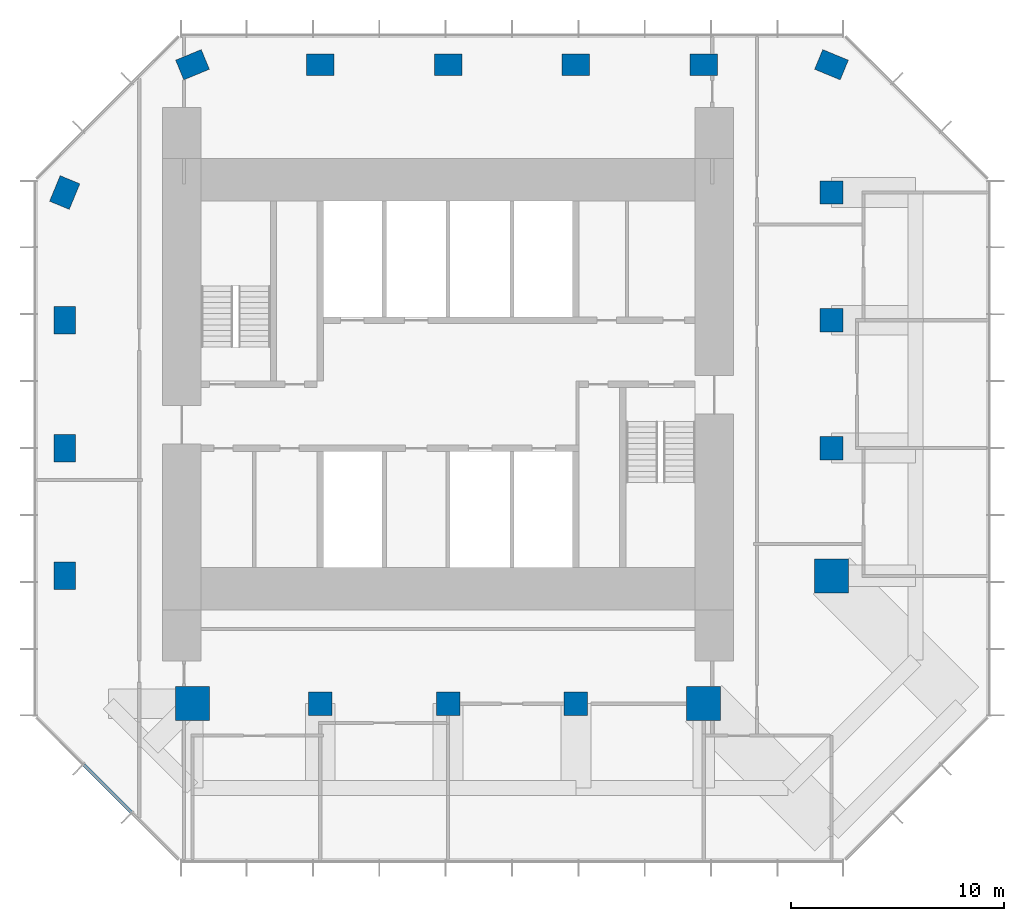
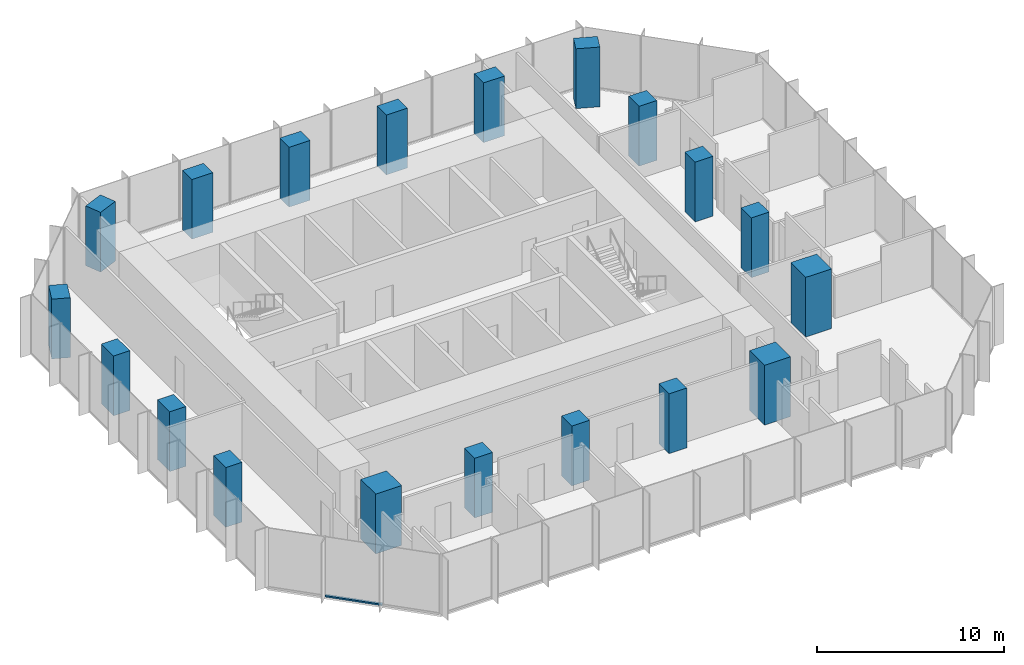
# One storey, part 1 of 11: 19 columns, 1 member, 1 element without a shape of its own.
"""IFC4 building model written with IfcOpenShell, lengths in metres."""

import ifcopenshell
import ifcopenshell.guid

model = None  # the IFC model being written
_history = None  # IfcOwnerHistory: only IFC2X3 demands one
_inside = {}  # id of a spatial element -> (the spatial element, [elements in it])
_under = {}  # id of a project, library or spatial element -> (it, [spatial elements below it])
_declared = {}  # id of a project -> (the project, [libraries it declares])
_typed = {}  # id of a type object -> (the type object, [elements of that type])
_made_of = {}  # id of a material, layer set ... -> (it, [elements and type objects made of it])


def new_model(schema):
    """Start an empty IFC model of exactly this schema.

    Asked for "IFC4X3", IfcOpenShell would pick the latest addendum, in which some entities
    have other attributes; the version numbers below select the first issue.
    IFC2X3 requires an IfcOwnerHistory on every rooted entity: one is made here for all.
    """
    global model, _history
    if schema == "IFC4X3":
        model = ifcopenshell.file(schema_version=(4, 3, 0, 0))
    else:
        model = ifcopenshell.file(schema=schema)
    _inside.clear()
    _under.clear()
    _declared.clear()
    _typed.clear()
    _made_of.clear()
    _history = None
    if model.schema == "IFC2X3":
        org = make("IfcOrganization", Name="unknown")
        user = make(
            "IfcPersonAndOrganization",
            ThePerson=make("IfcPerson", FamilyName="unknown"),
            TheOrganization=org,
        )
        app = make(
            "IfcApplication",
            ApplicationDeveloper=org,
            Version="unknown",
            ApplicationFullName="unknown",
            ApplicationIdentifier="unknown",
        )
        _history = make(
            "IfcOwnerHistory",
            OwningUser=user,
            OwningApplication=app,
            ChangeAction="ADDED",
            CreationDate=0,
        )
    return model


def make(cls, **values):
    """One entity of the class cls with the attributes given. An attribute that is None is left unset."""
    return model.create_entity(
        cls, **{name: value for name, value in values.items() if value is not None}
    )


def rooted(cls, **values):
    """An entity with a GlobalId (a new one), such as an element, a storey or a relation."""
    return make(cls, GlobalId=ifcopenshell.guid.new(), OwnerHistory=_history, **values)


def si_unit(unit_type, name, prefix=None):
    """IfcSIUnit, for example si_unit("LENGTHUNIT", "METRE", prefix="MILLI")."""
    return make("IfcSIUnit", UnitType=unit_type, Prefix=prefix, Name=name)


def assignment(units):
    """IfcUnitAssignment: the units of a project."""
    return None if units is None else make("IfcUnitAssignment", Units=units)


def point(xyz):
    """IfcCartesianPoint."""
    return None if xyz is None else make("IfcCartesianPoint", Coordinates=xyz)


def direction(xyz):
    """IfcDirection."""
    return None if xyz is None else make("IfcDirection", DirectionRatios=xyz)


def frame(location, z_axis=None, x_axis=None):
    """IfcAxis2Placement3D, a coordinate frame: its origin and axes. An axis left out is left unset."""
    return make(
        "IfcAxis2Placement3D",
        Location=point(location),
        Axis=direction(z_axis),
        RefDirection=direction(x_axis),
    )


def frame_2d(location, x_axis=None):
    """IfcAxis2Placement2D, a coordinate frame in the plane: its origin and x axis."""
    return make(
        "IfcAxis2Placement2D", Location=point(location), RefDirection=direction(x_axis)
    )


def origin():
    """The frame at (0, 0, 0) with its axes left unset."""
    return frame((0.0, 0.0, 0.0))


def origin_2d():
    """The frame at (0, 0) in the plane with its x axis left unset."""
    return frame_2d((0.0, 0.0))


def place(relative_to, where):
    """IfcLocalPlacement: puts the frame where relative to a parent placement (None: the world)."""
    return make(
        "IfcLocalPlacement", PlacementRelTo=relative_to, RelativePlacement=where
    )


def context(
    kind, dimensions, precision=None, world=None, true_north=None, identifier=None
):
    """IfcGeometricRepresentationContext, for example the 3D "Model" context."""
    return make(
        "IfcGeometricRepresentationContext",
        ContextIdentifier=identifier,
        ContextType=kind,
        CoordinateSpaceDimension=dimensions,
        Precision=precision,
        WorldCoordinateSystem=world,
        TrueNorth=true_north,
    )


def subcontext(parent, identifier, kind, view, scale=None):
    """IfcGeometricRepresentationSubContext, for example "Body" below "Model"."""
    return make(
        "IfcGeometricRepresentationSubContext",
        ContextIdentifier=identifier,
        ContextType=kind,
        ParentContext=parent,
        TargetScale=scale,
        TargetView=view,
    )


def project(units=None, contexts=None):
    """IfcProject with its units and contexts."""
    return rooted(
        "IfcProject",
        Name="project",
        RepresentationContexts=contexts,
        UnitsInContext=assignment(units),
    )


def spatial(cls, under=None, at=None, **own):
    """A site, building, storey or space (cls), placed at a placement, below another one or the project."""
    s = rooted(cls, ObjectPlacement=at, **own)
    if under is not None:
        _under.setdefault(under.id(), (under, []))[1].append(s)
    return s


def profile(cls, at=None, kind="AREA", **sizes):
    """A parametric profile (cls). Its sizes go by their IFC names, for example OverallWidth=200.0."""
    return make(cls, ProfileType=kind, Position=at, **sizes)


def rectangle(**sizes):
    """IfcRectangleProfileDef."""
    return profile("IfcRectangleProfileDef", **sizes)


def extrude(swept, where, along, depth):
    """IfcExtrudedAreaSolid: the profile swept, set in the frame where, extruded along a direction by depth."""
    return make(
        "IfcExtrudedAreaSolid",
        SweptArea=swept,
        Position=where,
        ExtrudedDirection=direction(along),
        Depth=depth,
    )


def shape(context_of_items, identifier, shape_type, items):
    """IfcShapeRepresentation: the items that make up one representation, for example the "Body"."""
    return make(
        "IfcShapeRepresentation",
        ContextOfItems=context_of_items,
        RepresentationIdentifier=identifier,
        RepresentationType=shape_type,
        Items=items,
    )


def material(Name=None, Category=None):
    """IfcMaterial."""
    return make("IfcMaterial", Name=Name, Category=Category)


def layer(
    of_material, thickness, ventilated=None, Name=None, Category=None, Priority=None
):
    """IfcMaterialLayer: one layer of a wall or slab, of a material (None: an air gap)."""
    return make(
        "IfcMaterialLayer",
        Material=of_material,
        LayerThickness=thickness,
        IsVentilated=ventilated,
        Name=Name,
        Category=Category,
        Priority=Priority,
    )


def layer_set(layers, Name=None):
    """IfcMaterialLayerSet."""
    return make("IfcMaterialLayerSet", MaterialLayers=layers, LayerSetName=Name)


def material_profile(
    of_material, cross_section, Name=None, Category=None, Priority=None
):
    """IfcMaterialProfile: a cross section and its material."""
    return make(
        "IfcMaterialProfile",
        Name=Name,
        Material=of_material,
        Profile=cross_section,
        Priority=Priority,
        Category=Category,
    )


def profile_set(profiles, Name=None, composite=None):
    """IfcMaterialProfileSet."""
    return make(
        "IfcMaterialProfileSet",
        Name=Name,
        MaterialProfiles=profiles,
        CompositeProfile=composite,
    )


def made_of(thing, what):
    """Note that an element or type object is made of a material, layer set ...; save() writes the relation."""
    if what is not None:
        _made_of.setdefault(what.id(), (what, []))[1].append(thing)
    return thing


def type_object(cls, material=None, **own):
    """A type object (cls), such as IfcWallType, which elements share."""
    return made_of(rooted(cls, **own), material)


def element(
    cls,
    number,
    at=None,
    inside=None,
    cuts=None,
    type_object=None,
    material=None,
    context=None,
    identifier="Body",
    shape_type=None,
    held_by="IfcProductDefinitionShape",
    body=None,
    shapes=None,
    **own,
):
    """One element of the class cls, such as IfcWall. Its Tag is "e" and its number.

    at: its placement. inside: the storey or other place that contains it. cuts: it is an
    opening in that element (IfcRelVoidsElement). A single representation is given by context,
    identifier, shape_type and body (its items); several are given by shapes. held_by: the class
    of the entity that holds the representations. save() writes the other relations.
    """
    e = rooted(cls, Tag="e%d" % number, ObjectPlacement=at, **own)
    if body is not None:
        shapes = [shape(context, identifier, shape_type, body)]
    if shapes is not None:
        e.Representation = make(held_by, Representations=shapes)
    if inside is not None:
        _inside.setdefault(inside.id(), (inside, []))[1].append(e)
    if cuts is not None:
        rooted(
            "IfcRelVoidsElement", RelatingBuildingElement=cuts, RelatedOpeningElement=e
        )
    if type_object is not None:
        _typed.setdefault(type_object.id(), (type_object, []))[1].append(e)
    return made_of(e, material)


def aggregate(whole, parts):
    """IfcRelAggregates: a whole, such as a stair, and the parts it consists of."""
    return rooted("IfcRelAggregates", RelatingObject=whole, RelatedObjects=parts)


def save(model, path):
    """Write the relations noted so far, then the file.

    IfcRelAggregates (storeys below a building ...), IfcRelContainedInSpatialStructure (elements
    in a storey), IfcRelDefinesByType, IfcRelAssociatesMaterial and IfcRelDeclares: one each for
    every whole, place, type object, material and project.
    """
    for whole, parts in _under.values():
        aggregate(whole, parts)
    for where, things in _inside.values():
        rooted(
            "IfcRelContainedInSpatialStructure",
            RelatedElements=things,
            RelatingStructure=where,
        )
    for kind, things in _typed.values():
        rooted("IfcRelDefinesByType", RelatedObjects=things, RelatingType=kind)
    for what, things in _made_of.values():
        rooted("IfcRelAssociatesMaterial", RelatedObjects=things, RelatingMaterial=what)
    for by, libraries in _declared.values():
        rooted("IfcRelDeclares", RelatingContext=by, RelatedDefinitions=libraries)
    model.write(path)


model = new_model("IFC4")

# Units and contexts
model_context = context("Model", 3, precision=1e-05, world=origin(), true_north=direction((0.0, 1.0)))
body_context = subcontext(model_context, "Body", "Model", "MODEL_VIEW")
ifc_project = project(units=[si_unit("LENGTHUNIT", "METRE"), si_unit("AREAUNIT", "SQUARE_METRE"), si_unit("VOLUMEUNIT", "CUBIC_METRE"), si_unit("PLANEANGLEUNIT", "RADIAN"), si_unit("MASSUNIT", "GRAM", prefix="KILO")], contexts=[model_context])

# Site, building, storey
site_placement = place(None, origin())
site = spatial("IfcSite", under=ifc_project, at=site_placement, CompositionType="ELEMENT")
building_placement = place(site_placement, origin())
building = spatial("IfcBuilding", under=site, at=building_placement, Name="Highveld Stack Headquarters", CompositionType="ELEMENT")
storey_placement = place(building_placement, frame((0.0, 0.0, 280.10009765625)))
storey = spatial("IfcBuildingStorey", under=building, at=storey_placement, Name="L69", CompositionType="ELEMENT", Elevation=280.10009765625)

# Columns
ifc_material_1 = material(Name="Concrete C60/75", Category="concrete")
ifc_material_profile_1 = material_profile(ifc_material_1, rectangle(XDim=1.10009765625, YDim=1.10009765625, at=origin_2d()), Name="RC 1100x1100")
ifc_profile_set_1 = profile_set([ifc_material_profile_1], Name="Concrete C60/75")
column_type_1 = type_object("IfcColumnType", Name="COLUMN RC 1100x1100 C60/75", PredefinedType="COLUMN", material=ifc_profile_set_1)
for number, where, z_axis, x_axis, name in (
    (1, (0.0, -12.0, 0.0), (0.0, 0.0, 1.0), (1.0, 0.0, 0.0), "Column 6/C L69"),
    (2, (6.0, -12.0, 0.0), (0.0, 0.0, 1.0), (1.0, 0.0, 0.0), "Column 7/C L69"),
    (3, (12.0, -12.0, 0.0), (0.0, 0.0, 1.0), (1.0, 0.0, 0.0), "Column 8/C L69"),
    (4, (24.0, 0.0, 0.0), (0.0, 0.0, 1.0), (1.0, 0.0, 0.0), "Column 10/E L69"),
    (5, (24.0, 6.0, 0.0), (0.0, 0.0, 1.0), (1.0, 0.0, 0.0), "Column 10/F L69"),
    (6, (24.0, 12.0, 0.0), (0.0, 0.0, 1.0), (1.0, 0.0, 0.0), "Column 10/G L69"),
):
    element("IfcColumn", number, at=place(storey_placement, frame(where, z_axis=z_axis, x_axis=x_axis)), inside=storey, type_object=column_type_1, Name=name, PredefinedType="COLUMN", context=body_context, shape_type="SweptSolid", body=[
        extrude(rectangle(XDim=1.10009765625, YDim=1.10009765625, at=origin_2d()), origin(), (0.0, 0.0, 1.0), 3.89990234375),
    ])
ifc_material_2 = material(Name="Concrete C60/75", Category="concrete")
ifc_material_profile_2 = material_profile(ifc_material_2, rectangle(XDim=1.300048828125, YDim=1.0, at=origin_2d()), Name="RC 1300x1000")
ifc_profile_set_2 = profile_set([ifc_material_profile_2], Name="Concrete C60/75")
column_type_2 = type_object("IfcColumnType", Name="COLUMN RC 1300x1000 C60/75", PredefinedType="COLUMN", material=ifc_profile_set_2)
for number, where, z_axis, x_axis, name in (
    (7, (-12.0, -6.0, 0.0), (0.0, 0.0, 1.0), (0.0, 1.0, 0.0), "Column 4/D L69"),
    (8, (-12.0, 0.0, 0.0), (0.0, 0.0, 1.0), (0.0, 1.0, 0.0), "Column 4/E L69"),
    (9, (-12.0, 6.0, 0.0), (0.0, 0.0, 1.0), (0.0, 1.0, 0.0), "Column 4/F L69"),
    (10, (-12.0, 12.0, 0.0), (0.0, 0.0, 1.0), (0.382683432365, 0.923879532511, 0.0), "Column 4/G L69"),
    (11, (-6.0, 18.0, 0.0), (0.0, 0.0, 1.0), (0.923879532511, 0.382683432365, 0.0), "Column 5/H L69"),
    (12, (0.0, 18.0, 0.0), (0.0, 0.0, 1.0), (1.0, 0.0, 0.0), "Column 6/H L69"),
    (13, (6.0, 18.0, 0.0), (0.0, 0.0, 1.0), (1.0, 0.0, 0.0), "Column 7/H L69"),
    (14, (12.0, 18.0, 0.0), (0.0, 0.0, 1.0), (1.0, 0.0, 0.0), "Column 8/H L69"),
    (15, (18.0, 18.0, 0.0), (0.0, 0.0, 1.0), (1.0, 0.0, 0.0), "Column 9/H L69"),
    (16, (24.0, 18.0, 0.0), (0.0, 0.0, 1.0), (0.923879532511, -0.382683432365, 0.0), "Column 10/H L69"),
):
    element("IfcColumn", number, at=place(storey_placement, frame(where, z_axis=z_axis, x_axis=x_axis)), inside=storey, type_object=column_type_2, Name=name, PredefinedType="COLUMN", context=body_context, shape_type="SweptSolid", body=[
        extrude(rectangle(XDim=1.300048828125, YDim=1.0, at=origin_2d()), origin(), (0.0, 0.0, 1.0), 3.89990234375),
    ])
ifc_material_3 = material(Name="Concrete C60/75", Category="concrete")
ifc_material_profile_3 = material_profile(ifc_material_3, rectangle(XDim=1.60009765625, YDim=1.60009765625, at=origin_2d()), Name="RC 1600x1600")
ifc_profile_set_3 = profile_set([ifc_material_profile_3], Name="Concrete C60/75")
column_type_3 = type_object("IfcColumnType", Name="COLUMN RC 1600x1600 C60/75", PredefinedType="COLUMN", material=ifc_profile_set_3)
for number, where, z_axis, x_axis, name in (
    (17, (-6.0, -12.0, 0.0), (0.0, 0.0, 1.0), (1.0, 0.0, 0.0), "Column 5/C L69"),
    (18, (18.0, -12.0, 0.0), (0.0, 0.0, 1.0), (1.0, 0.0, 0.0), "Column 9/C L69"),
    (19, (24.0, -6.0, 0.0), (0.0, 0.0, 1.0), (1.0, 0.0, 0.0), "Column 10/D L69"),
):
    element("IfcColumn", number, at=place(storey_placement, frame(where, z_axis=z_axis, x_axis=x_axis)), inside=storey, type_object=column_type_3, Name=name, PredefinedType="COLUMN", context=body_context, shape_type="SweptSolid", body=[
        extrude(rectangle(XDim=1.60009765625, YDim=1.60009765625, at=origin_2d()), origin(), (0.0, 0.0, 1.0), 3.89990234375),
    ])

# Curtain wall, member
ifc_material_4 = material(Name="Aluminium bronze anodised", Category="aluminium")
ifc_layer = layer(ifc_material_4, 0.199951171875)
ifc_layer_set = layer_set([ifc_layer], Name="Aluminium bronze anodised")
curtain_wall_type = type_object("IfcCurtainWallType", Name="CW5 EXECUTIVE UNITISED CURTAIN WALL", PredefinedType="NOTDEFINED", material=ifc_layer_set)
curtain_wall_placement = place(storey_placement, origin())
curtain_wall = element("IfcCurtainWall", 20, at=curtain_wall_placement, inside=storey, type_object=curtain_wall_type, Name="Curtain wall CW5 L69 SW", PredefinedType="NOTDEFINED")
ifc_material_5 = material(Name="Aluminium bronze anodised", Category="aluminium")
ifc_material_profile_4 = material_profile(ifc_material_5, rectangle(XDim=0.14990234375, YDim=0.10009765625, at=origin_2d()), Name="CW5 TRANSOM 150x100")
ifc_profile_set_4 = profile_set([ifc_material_profile_4], Name="Aluminium bronze anodised")
member_type = type_object("IfcMemberType", Name="CW5 STACK TRANSOM 150x100", PredefinedType="USERDEFINED", material=ifc_profile_set_4)
member_placement = place(storey_placement, frame((-11.103759765625, -14.876220703125, 0.0498046875), z_axis=(0.707106781187, -0.707106781187, 0.0), x_axis=(0.707106781187, 0.707106781187, 0.0)))
member = element("IfcMember", 21, at=member_placement, type_object=member_type, Name="CW5 transom L69 2.1", ObjectType="TRANSOM", PredefinedType="USERDEFINED", context=body_context, shape_type="SweptSolid", body=[
    extrude(rectangle(XDim=0.14990234375, YDim=0.10009765625, at=origin_2d()), origin(), (0.0, 0.0, 1.0), 3.150146484375),
])
aggregate(curtain_wall, [member])

save(model, "model.ifc")
